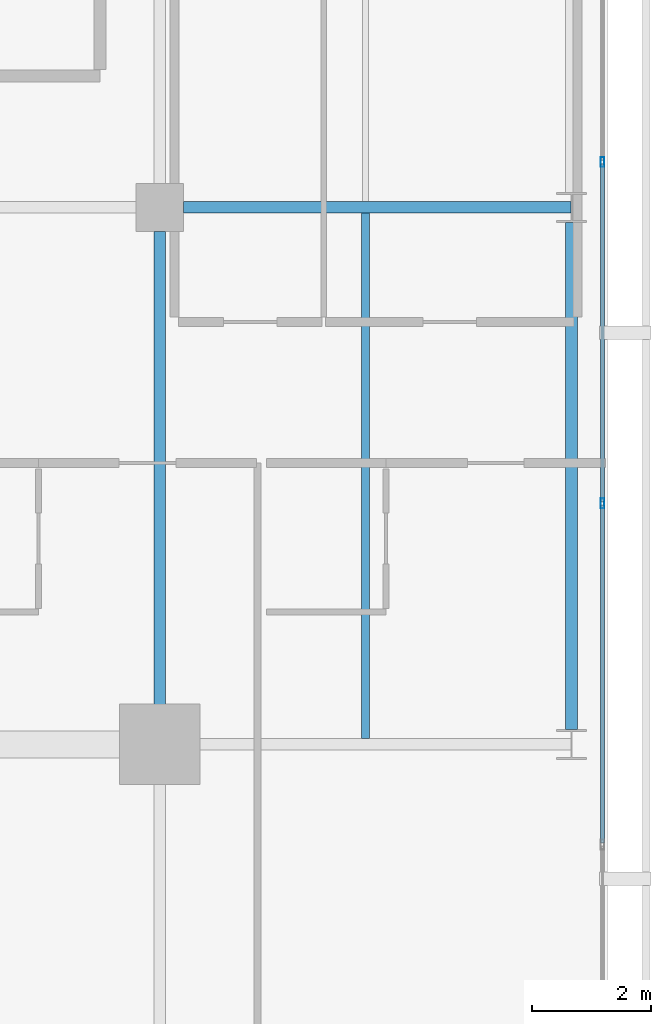
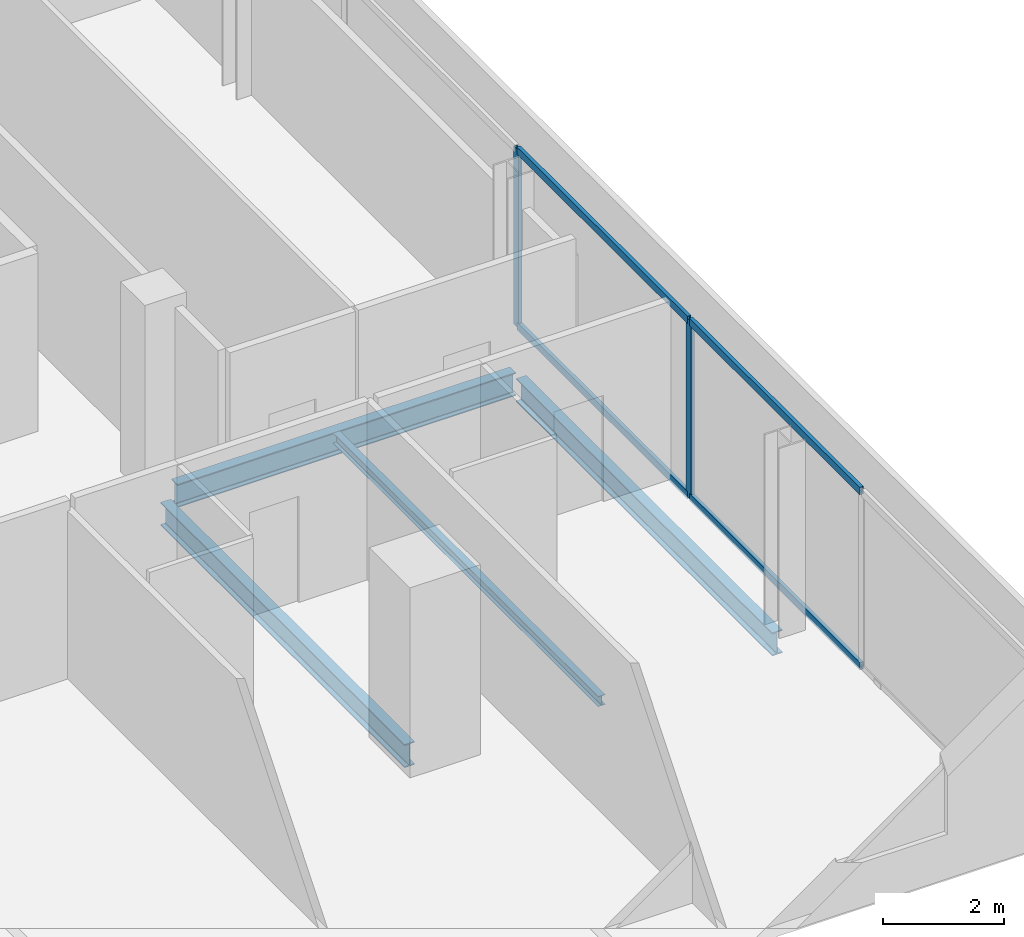
# One storey, part 12 of 24: 6 members, 4 beams, 1 element without a shape of its own.
"""IFC4 building model written with IfcOpenShell, lengths in metres."""

from ifc_helpers import new_model, si_unit, direction, frame, origin, origin_2d, place, context, subcontext, project, spatial, hollow_rectangle, i_section, extrude, material, layer, layer_set, material_profile, profile_set, type_object, element, aggregate, save


model = new_model("IFC4")

# Units and contexts
model_context = context("Model", 3, precision=1e-05, world=origin(), true_north=direction((0.0, 1.0)))
body_context = subcontext(model_context, "Body", "Model", "MODEL_VIEW")
ifc_project = project(units=[si_unit("LENGTHUNIT", "METRE"), si_unit("AREAUNIT", "SQUARE_METRE"), si_unit("VOLUMEUNIT", "CUBIC_METRE"), si_unit("PLANEANGLEUNIT", "RADIAN"), si_unit("MASSUNIT", "GRAM", prefix="KILO")], contexts=[model_context])

# Site, building, storey
site_placement = place(None, origin())
site = spatial("IfcSite", under=ifc_project, at=site_placement, CompositionType="ELEMENT")
building_placement = place(site_placement, origin())
building = spatial("IfcBuilding", under=site, at=building_placement, Name="Maruvema Waterfront Hotel and Observation Tower", CompositionType="ELEMENT")
storey_placement = place(building_placement, frame((0.0, 0.0, 333.550048828125)))
storey = spatial("IfcBuildingStorey", under=building, at=storey_placement, Name="L82", CompositionType="ELEMENT", Elevation=333.550048828125)

# Curtain wall, members
ifc_material_1 = material(Name="Anodised bronze aluminium and solar-control low-E IGU", Category="aluminium")
ifc_layer = layer(ifc_material_1, 0.159912109375, Name="Zone 4 Sky Residence Inner Curtain Wall System CW-05")
ifc_layer_set = layer_set([ifc_layer], Name="Anodised bronze aluminium and solar-control low-E IGU")
curtain_wall_type = type_object("IfcCurtainWallType", Name="Zone 4 Sky Residence Inner Curtain Wall System CW-05", PredefinedType="USERDEFINED", material=ifc_layer_set)
curtain_wall_placement = place(storey_placement, origin())
curtain_wall = element("IfcCurtainWall", 1, at=curtain_wall_placement, inside=storey, type_object=curtain_wall_type, Name="L82 Curtain Wall CW-L82-E", ObjectType="UNITISED CURTAIN WALL", PredefinedType="USERDEFINED")
ifc_material_2 = material(Name="Anodised architectural bronze aluminium", Category="aluminium")
ifc_material_profile_1 = material_profile(ifc_material_2, hollow_rectangle(XDim=0.070068359375, YDim=0.14990234375, WallThickness=0.00390625, at=origin_2d()), Name="ALU-T70x150")
ifc_profile_set_1 = profile_set([ifc_material_profile_1], Name="Anodised architectural bronze aluminium")
member_type_1 = type_object("IfcMemberType", Name="Curtain Wall Horizontal Transom ALU-T70x150", PredefinedType="USERDEFINED", material=ifc_profile_set_1)
member_1_placement = place(storey_placement, frame((57.820068359375, 25.35009765625, 0.030029296875), z_axis=(0.0, 1.0, 0.0), x_axis=(-1.0, 0.0, 0.0)))
member_1 = element("IfcMember", 2, at=member_1_placement, type_object=member_type_1, Name="CW-05 transom 2.1", ObjectType="TRANSOM", PredefinedType="USERDEFINED", context=body_context, shape_type="SweptSolid", body=[
    extrude(hollow_rectangle(XDim=0.070068359375, YDim=0.14990234375, WallThickness=0.00390625, at=origin_2d()), origin(), (0.0, 0.0, 1.0), 5.659912109375),
])
member_2_placement = place(storey_placement, frame((57.820068359375, 25.35009765625, 3.579833984375), z_axis=(0.0, 1.0, 0.0), x_axis=(-1.0, 0.0, 0.0)))
member_2 = element("IfcMember", 3, at=member_2_placement, type_object=member_type_1, Name="CW-05 transom 2.2", ObjectType="TRANSOM", PredefinedType="USERDEFINED", context=body_context, shape_type="SweptSolid", body=[
    extrude(hollow_rectangle(XDim=0.070068359375, YDim=0.14990234375, WallThickness=0.00390625, at=origin_2d()), origin(), (0.0, 0.0, 1.0), 5.659912109375),
])
member_3_placement = place(storey_placement, frame((57.820068359375, 31.070068359375, 0.030029296875), z_axis=(0.0, 1.0, 0.0), x_axis=(-1.0, 0.0, 0.0)))
member_3 = element("IfcMember", 4, at=member_3_placement, type_object=member_type_1, Name="CW-05 transom 3.1", ObjectType="TRANSOM", PredefinedType="USERDEFINED", context=body_context, shape_type="SweptSolid", body=[
    extrude(hollow_rectangle(XDim=0.070068359375, YDim=0.14990234375, WallThickness=0.00390625, at=origin_2d()), origin(), (0.0, 0.0, 1.0), 5.659912109375),
])
member_4_placement = place(storey_placement, frame((57.820068359375, 31.070068359375, 3.579833984375), z_axis=(0.0, 1.0, 0.0), x_axis=(-1.0, 0.0, 0.0)))
member_4 = element("IfcMember", 5, at=member_4_placement, type_object=member_type_1, Name="CW-05 transom 3.2", ObjectType="TRANSOM", PredefinedType="USERDEFINED", context=body_context, shape_type="SweptSolid", body=[
    extrude(hollow_rectangle(XDim=0.070068359375, YDim=0.14990234375, WallThickness=0.00390625, at=origin_2d()), origin(), (0.0, 0.0, 1.0), 5.659912109375),
])
ifc_material_3 = material(Name="Anodised architectural bronze aluminium", Category="aluminium")
ifc_material_profile_2 = material_profile(ifc_material_3, hollow_rectangle(XDim=0.06494140625, YDim=0.1650390625, WallThickness=0.00390625, at=origin_2d()), Name="ALU-M65x165")
ifc_profile_set_2 = profile_set([ifc_material_profile_2], Name="Anodised architectural bronze aluminium")
member_type_2 = type_object("IfcMemberType", Name="Curtain Wall Primary Mullion ALU-M65x165", PredefinedType="MULLION", material=ifc_profile_set_2)
member_5_placement = place(storey_placement, frame((57.820068359375, 31.0400390625, 0.0), z_axis=(0.0, 0.0, 1.0), x_axis=(-1.0, 0.0, 0.0)))
member_5 = element("IfcMember", 6, at=member_5_placement, type_object=member_type_2, Name="CW-05 mullion 3", PredefinedType="MULLION", context=body_context, shape_type="SweptSolid", body=[
    extrude(hollow_rectangle(XDim=0.06494140625, YDim=0.1650390625, WallThickness=0.00390625, at=origin_2d()), origin(), (0.0, 0.0, 1.0), 3.60986328125),
])
member_6_placement = place(storey_placement, frame((57.820068359375, 36.760009765625, 0.0), z_axis=(0.0, 0.0, 1.0), x_axis=(-1.0, 0.0, 0.0)))
member_6 = element("IfcMember", 7, at=member_6_placement, type_object=member_type_2, Name="CW-05 mullion 4", PredefinedType="MULLION", context=body_context, shape_type="SweptSolid", body=[
    extrude(hollow_rectangle(XDim=0.06494140625, YDim=0.1650390625, WallThickness=0.00390625, at=origin_2d()), origin(), (0.0, 0.0, 1.0), 3.60986328125),
])
aggregate(curtain_wall, [member_5, member_6, member_1, member_2, member_3, member_4])

# Beams
ifc_material_4 = material(Name="Steel ASTM A572 Grade 50", Category="steel")
ifc_material_profile_3 = material_profile(ifc_material_4, i_section(OverallWidth=0.194091796875, OverallDepth=0.468994140625, WebThickness=0.0126953125, FlangeThickness=0.0205078125, FilletRadius=0.014892578125, at=origin_2d()), Name="W460x106.0")
ifc_profile_set_3 = profile_set([ifc_material_profile_3], Name="Steel ASTM A572 Grade 50")
beam_type_1 = type_object("IfcBeamType", Name="Primary Floor Girder W460x106.0", PredefinedType="BEAM", material=ifc_profile_set_3)
beam_1_placement = place(storey_placement, frame((50.800048828125, 36.0, -0.474609375), z_axis=(1.0, 0.0, 0.0), x_axis=(0.0, 1.0, 0.0)))
element("IfcBeam", 8, at=beam_1_placement, inside=storey, type_object=beam_type_1, Name="L82 Floor Girder EW-14", PredefinedType="BEAM", context=body_context, shape_type="SweptSolid", body=[
    extrude(i_section(OverallWidth=0.194091796875, OverallDepth=0.468994140625, WebThickness=0.0126953125, FlangeThickness=0.0205078125, FilletRadius=0.014892578125, at=origin_2d()), origin(), (0.0, 0.0, 1.0), 6.489013671875),
])
beam_2_placement = place(storey_placement, frame((50.39990234375, 27.5, -0.474609375), z_axis=(0.0, 1.0, 0.0), x_axis=(-1.0, 0.0, 0.0)))
element("IfcBeam", 9, at=beam_2_placement, inside=storey, type_object=beam_type_1, Name="L82 Floor Girder NS-13", PredefinedType="BEAM", context=body_context, shape_type="SweptSolid", body=[
    extrude(i_section(OverallWidth=0.194091796875, OverallDepth=0.468994140625, WebThickness=0.0126953125, FlangeThickness=0.0205078125, FilletRadius=0.014892578125, at=origin_2d()), origin(), (0.0, 0.0, 1.0), 8.10009765625),
])
beam_3_placement = place(storey_placement, frame((57.300048828125, 27.25, -0.474609375), z_axis=(0.0, 1.0, 0.0), x_axis=(-1.0, 0.0, 0.0)))
element("IfcBeam", 10, at=beam_3_placement, inside=storey, type_object=beam_type_1, Name="L82 Floor Girder NS-15", PredefinedType="BEAM", context=body_context, shape_type="SweptSolid", body=[
    extrude(i_section(OverallWidth=0.194091796875, OverallDepth=0.468994140625, WebThickness=0.0126953125, FlangeThickness=0.0205078125, FilletRadius=0.014892578125, at=origin_2d()), origin(), (0.0, 0.0, 1.0), 8.5),
])
ifc_material_5 = material(Name="Steel ASTM A572 Grade 50", Category="steel")
ifc_material_profile_4 = material_profile(ifc_material_5, i_section(OverallWidth=0.133056640625, OverallDepth=0.20703125, WebThickness=0.005859375, FlangeThickness=0.00830078125, FilletRadius=0.010009765625, at=origin_2d()), Name="W200x26.6")
ifc_profile_set_4 = profile_set([ifc_material_profile_4], Name="Steel ASTM A572 Grade 50")
beam_type_2 = type_object("IfcBeamType", Name="Secondary Floor Joist W200x26.6", PredefinedType="JOIST", material=ifc_profile_set_4)
beam_4_placement = place(storey_placement, frame((53.85009765625, 27.096923828125, -0.343505859375), z_axis=(0.0, 1.0, 0.0), x_axis=(-1.0, 0.0, 0.0)))
element("IfcBeam", 11, at=beam_4_placement, inside=storey, type_object=beam_type_2, Name="L82 Secondary Floor Joist JS-06", PredefinedType="JOIST", context=body_context, shape_type="SweptSolid", body=[
    extrude(i_section(OverallWidth=0.133056640625, OverallDepth=0.20703125, WebThickness=0.005859375, FlangeThickness=0.00830078125, FilletRadius=0.010009765625, at=origin_2d()), origin(), (0.0, 0.0, 1.0), 8.80615234375),
])

save(model, "model.ifc")
